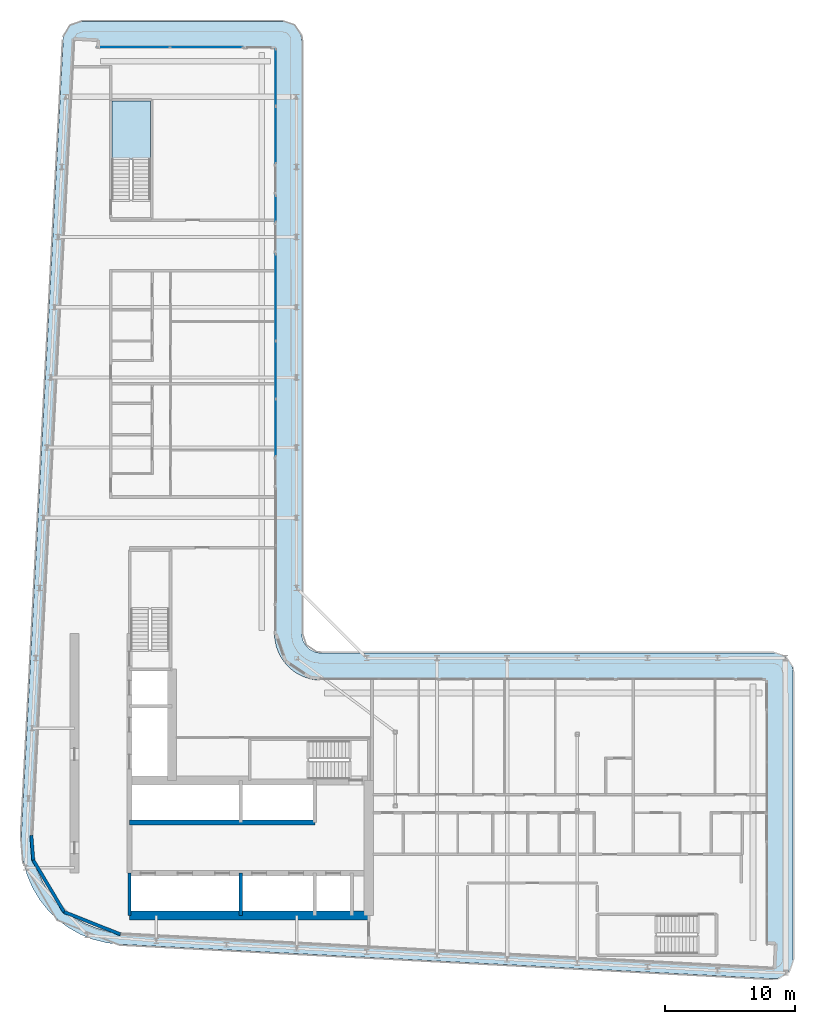
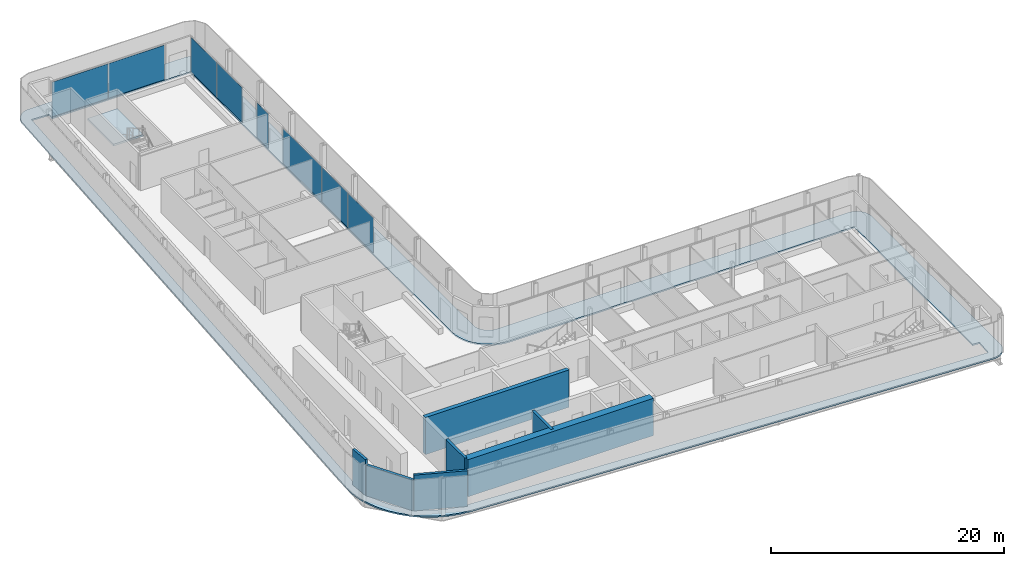
# One storey, part 9 of 21: 8 plates, 7 walls, 2 slabs, 6 elements without a shape of their own.
"""IFC4 building model written with IfcOpenShell, lengths in metres."""

from ifc_helpers import new_model, si_unit, direction, frame, frame_2d, origin, origin_2d, place, context, subcontext, project, spatial, polyline, rectangle, outline, extrude, material, layer, layer_set, type_object, element, aggregate, save


model = new_model("IFC4")

# Units and contexts
model_context = context("Model", 3, precision=1e-05, world=origin(), true_north=direction((0.0, 1.0)))
body_context = subcontext(model_context, "Body", "Model", "MODEL_VIEW")
ifc_project = project(units=[si_unit("LENGTHUNIT", "METRE"), si_unit("AREAUNIT", "SQUARE_METRE"), si_unit("VOLUMEUNIT", "CUBIC_METRE"), si_unit("PLANEANGLEUNIT", "RADIAN"), si_unit("MASSUNIT", "GRAM", prefix="KILO")], contexts=[model_context])

# Site, building, storey
site_placement = place(None, origin())
site = spatial("IfcSite", under=ifc_project, at=site_placement, CompositionType="ELEMENT")
building_placement = place(site_placement, origin())
building = spatial("IfcBuilding", under=site, at=building_placement, Name="Kheshtan School and Residences Tower", CompositionType="ELEMENT")
storey_placement = place(building_placement, frame((0.0, 0.0, 227.89990234375)))
storey = spatial("IfcBuildingStorey", under=building, at=storey_placement, Name="L53", CompositionType="ELEMENT", Elevation=227.89990234375)

# Curtain wall, plates
ifc_material_1 = material(Name="Clear low-e glass in thermally broken aluminium frame", Category="aluminium")
ifc_layer_1 = layer(ifc_material_1, 0.199951171875)
ifc_layer_set_1 = layer_set([ifc_layer_1], Name="Curtain wall CW-L")
curtain_wall_type = type_object("IfcCurtainWallType", Name="Curtain wall CW-L", PredefinedType="NOTDEFINED", material=ifc_layer_set_1)
curtain_wall_1_placement = place(storey_placement, origin())
curtain_wall_1 = element("IfcCurtainWall", 1, at=curtain_wall_1_placement, inside=storey, type_object=curtain_wall_type, Name="Curtain wall CWL3a", PredefinedType="NOTDEFINED")
ifc_layer_2 = layer(ifc_material_1, 0.031982421875)
ifc_layer_set_2 = layer_set([ifc_layer_2], Name="CW-L glass panel")
plate_type = type_object("IfcPlateType", Name="CW-L glass panel", PredefinedType="CURTAIN_PANEL", material=ifc_layer_set_2)
plate_1_placement = place(storey_placement, frame((35.0458984375, 92.60009765625, 0.000244140625), z_axis=(0.0, 0.0, 1.0), x_axis=(1.0, 0.0, 0.0)))
plate_1 = element("IfcPlate", 2, at=plate_1_placement, type_object=plate_type, Name="CWL3a panel 1.1", PredefinedType="CURTAIN_PANEL", context=body_context, shape_type="SweptSolid", body=[
    extrude(rectangle(XDim=5.555908203125, YDim=0.031982421875, at=origin_2d()), origin(), (0.0, 0.0, 1.0), 3.6298828125),
])
plate_2_placement = place(storey_placement, frame((40.662109375, 92.60009765625, 0.000244140625), z_axis=(0.0, 0.0, 1.0), x_axis=(1.0, 0.0, 0.0)))
plate_2 = element("IfcPlate", 3, at=plate_2_placement, type_object=plate_type, Name="CWL3a panel 2.1", PredefinedType="CURTAIN_PANEL", context=body_context, shape_type="SweptSolid", body=[
    extrude(rectangle(XDim=5.555908203125, YDim=0.031982421875, at=origin_2d()), origin(), (0.0, 0.0, 1.0), 3.6298828125),
])
aggregate(curtain_wall_1, [plate_1, plate_2])

curtain_wall_2_placement = place(storey_placement, origin())
curtain_wall_2 = element("IfcCurtainWall", 4, at=curtain_wall_2_placement, inside=storey, type_object=curtain_wall_type, Name="Curtain wall CWL4b", PredefinedType="NOTDEFINED")
plate_3_placement = place(storey_placement, frame((46.0, 90.26806640625, 0.000244140625), z_axis=(0.0, 0.0, 1.0), x_axis=(0.0, -1.0, 0.0)))
plate_3 = element("IfcPlate", 5, at=plate_3_placement, type_object=plate_type, Name="CWL4b panel 1.1", PredefinedType="CURTAIN_PANEL", context=body_context, shape_type="SweptSolid", body=[
    extrude(rectangle(XDim=4.34375, YDim=0.031982421875, at=origin_2d()), origin(), (0.0, 0.0, 1.0), 3.6298828125),
])
plate_4_placement = place(storey_placement, frame((46.0, 85.8642578125, 0.000244140625), z_axis=(0.0, 0.0, 1.0), x_axis=(0.0, -1.0, 0.0)))
plate_4 = element("IfcPlate", 6, at=plate_4_placement, type_object=plate_type, Name="CWL4b panel 2.1", PredefinedType="CURTAIN_PANEL", context=body_context, shape_type="SweptSolid", body=[
    extrude(rectangle(XDim=4.34375, YDim=0.031982421875, at=origin_2d()), origin(), (0.0, 0.0, 1.0), 3.6298828125),
])
aggregate(curtain_wall_2, [plate_3, plate_4])

# Curtain wall, plate
curtain_wall_3_placement = place(storey_placement, origin())
curtain_wall_3 = element("IfcCurtainWall", 7, at=curtain_wall_3_placement, inside=storey, type_object=curtain_wall_type, Name="Curtain wall CWL4c", PredefinedType="NOTDEFINED")
plate_5_placement = place(storey_placement, frame((46.0, 80.1826171875, 0.000244140625), z_axis=(0.0, 0.0, 1.0), x_axis=(0.0, -1.0, 0.0)))
plate_5 = element("IfcPlate", 8, at=plate_5_placement, type_object=plate_type, Name="CWL4c panel 1.1", PredefinedType="CURTAIN_PANEL", context=body_context, shape_type="SweptSolid", body=[
    extrude(rectangle(XDim=1.97998046875, YDim=0.031982421875, at=origin_2d()), origin(), (0.0, 0.0, 1.0), 3.6298828125),
])
aggregate(curtain_wall_3, [plate_5])

curtain_wall_4_placement = place(storey_placement, origin())
curtain_wall_4 = element("IfcCurtainWall", 9, at=curtain_wall_4_placement, inside=storey, type_object=curtain_wall_type, Name="Curtain wall CWL4d", PredefinedType="NOTDEFINED")
plate_6_placement = place(storey_placement, frame((46.0, 73.3486328125, 0.000244140625), z_axis=(0.0, 0.0, 1.0), x_axis=(0.0, -1.0, 0.0)))
plate_6 = element("IfcPlate", 10, at=plate_6_placement, type_object=plate_type, Name="CWL4d panel 1.1", PredefinedType="CURTAIN_PANEL", context=body_context, shape_type="SweptSolid", body=[
    extrude(rectangle(XDim=6.6474609375, YDim=0.031982421875, at=origin_2d()), origin(), (0.0, 0.0, 1.0), 3.6298828125),
])
aggregate(curtain_wall_4, [plate_6])

# Curtain wall, plates
curtain_wall_5_placement = place(storey_placement, origin())
curtain_wall_5 = element("IfcCurtainWall", 11, at=curtain_wall_5_placement, inside=storey, type_object=curtain_wall_type, Name="Curtain wall CWL4b", PredefinedType="NOTDEFINED")
plate_7_placement = place(storey_placement, frame((46.0, 67.76318359375, 0.000244140625), z_axis=(0.0, 0.0, 1.0), x_axis=(0.0, -1.0, 0.0)))
plate_7 = element("IfcPlate", 12, at=plate_7_placement, type_object=plate_type, Name="CWL4b panel 1.1", PredefinedType="CURTAIN_PANEL", context=body_context, shape_type="SweptSolid", body=[
    extrude(rectangle(XDim=4.40380859375, YDim=0.031982421875, at=origin_2d()), origin(), (0.0, 0.0, 1.0), 3.6298828125),
])
plate_8_placement = place(storey_placement, frame((46.0, 63.329345703125, 0.000244140625), z_axis=(0.0, 0.0, 1.0), x_axis=(0.0, -1.0, 0.0)))
plate_8 = element("IfcPlate", 13, at=plate_8_placement, type_object=plate_type, Name="CWL4b panel 2.1", PredefinedType="CURTAIN_PANEL", context=body_context, shape_type="SweptSolid", body=[
    extrude(rectangle(XDim=4.34375, YDim=0.031982421875, at=origin_2d()), origin(), (0.0, 0.0, 1.0), 3.6298828125),
])
aggregate(curtain_wall_5, [plate_7, plate_8])

# Slab
ifc_material_2 = material(Name="Concrete C40/50", Category="concrete")
ifc_layer_3 = layer(ifc_material_2, 0.14990234375)
ifc_layer_set_3 = layer_set([ifc_layer_3], Name="Loggia balcony slab 150 Concrete C40/50")
slab_type_1 = type_object("IfcSlabType", Name="Loggia balcony slab 150 Concrete C40/50", PredefinedType="FLOOR", material=ifc_layer_set_3)
slab_1_placement = place(storey_placement, frame((0.0, 0.0, -0.14990234375)))
element("IfcSlab", 14, at=slab_1_placement, inside=storey, type_object=slab_type_1, Name="Loggia balcony slab L53", PredefinedType="FLOOR", context=body_context, shape_type="SweptSolid", body=[
    extrude(outline(polyline([(28.4580078125, 26.222900390625), (28.45703125, 26.222900390625), (28.45703125, 26.22412109375), (28.4560546875, 26.22412109375), (27.81494140625, 27.0390625), (27.281005859375, 27.93798828125), (26.867919921875, 28.89990234375), (26.583984375, 29.89990234375), (26.583984375, 29.906982421875), (26.43408203125, 30.943115234375), (26.419921875, 31.989013671875), (29.64111328125, 93.178955078125), (29.64697265625, 93.22705078125), (29.64697265625, 93.22802734375), (29.64599609375, 93.22802734375), (29.64599609375, 93.22900390625), (29.64501953125, 93.22900390625), (29.64501953125, 93.22998046875), (29.64404296875, 93.22998046875), (29.64404296875, 93.23095703125), (29.64306640625, 93.23095703125), (29.64306640625, 93.23193359375), (29.64306640625, 93.23291015625), (29.660888671875, 93.381103515625), (29.660888671875, 93.384033203125), (29.660888671875, 93.385009765625), (29.662109375, 93.385009765625), (29.662109375, 93.385986328125), (29.6630859375, 93.385986328125), (29.6630859375, 93.386962890625), (29.6640625, 93.386962890625), (29.6650390625, 93.386962890625), (29.6650390625, 93.387939453125), (29.666015625, 93.387939453125), (29.666015625, 93.388916015625), (29.666015625, 93.39111328125), (29.718994140625, 93.583984375), (29.799072265625, 93.77490234375), (29.905029296875, 93.952880859375), (30.027099609375, 94.10693359375), (30.028076171875, 94.10693359375), (30.028076171875, 94.10791015625), (30.029052734375, 94.10791015625), (30.029052734375, 94.10888671875), (30.030029296875, 94.10888671875), (30.030029296875, 94.110107421875), (30.031005859375, 94.110107421875), (30.031005859375, 94.111083984375), (30.031982421875, 94.111083984375), (30.031982421875, 94.112060546875), (30.032958984375, 94.112060546875), (30.032958984375, 94.113037109375), (30.033935546875, 94.113037109375), (30.0380859375, 94.113037109375), (30.0390625, 94.113037109375), (30.0390625, 94.114013671875), (30.18408203125, 94.257080078125), (30.18505859375, 94.257080078125), (30.18505859375, 94.258056640625), (30.18603515625, 94.258056640625), (30.18603515625, 94.259033203125), (30.18701171875, 94.259033203125), (30.18701171875, 94.260009765625), (30.18798828125, 94.260009765625), (30.18798828125, 94.260986328125), (30.18896484375, 94.260986328125), (30.18896484375, 94.261962890625), (30.18994140625, 94.261962890625), (30.18994140625, 94.262939453125), (30.19091796875, 94.262939453125), (30.19091796875, 94.263916015625), (30.35205078125, 94.376953125), (30.534912109375, 94.472900390625), (30.722900390625, 94.54296875), (30.72998046875, 94.54296875), (30.93310546875, 94.5859375), (31.138916015625, 94.60009765625), (46.5, 94.60009765625), (46.696044921875, 94.5869140625), (46.887939453125, 94.549072265625), (46.89501953125, 94.549072265625), (47.073974609375, 94.486083984375), (47.242919921875, 94.40087890625), (47.243896484375, 94.40087890625), (47.2470703125, 94.40087890625), (47.248046875, 94.40087890625), (47.248046875, 94.402099609375), (47.2490234375, 94.402099609375), (47.2490234375, 94.403076171875), (47.25, 94.403076171875), (47.2529296875, 94.403076171875), (47.25390625, 94.403076171875), (47.25390625, 94.402099609375), (47.2548828125, 94.402099609375), (47.2548828125, 94.40087890625), (47.256103515625, 94.40087890625), (47.256103515625, 94.39990234375), (47.257080078125, 94.39990234375), (47.257080078125, 94.39892578125), (47.258056640625, 94.39892578125), (47.258056640625, 94.39794921875), (47.412109375, 94.2958984375), (47.4130859375, 94.2958984375), (47.4130859375, 94.294921875), (47.4140625, 94.294921875), (47.4140625, 94.2939453125), (47.4140625, 94.2900390625), (47.4140625, 94.2890625), (47.4150390625, 94.2890625), (47.4150390625, 94.2880859375), (47.416015625, 94.2880859375), (47.416015625, 94.287109375), (47.4169921875, 94.287109375), (47.4169921875, 94.285888671875), (47.554931640625, 94.16796875), (47.554931640625, 94.1669921875), (47.555908203125, 94.1669921875), (47.555908203125, 94.166015625), (47.556884765625, 94.166015625), (47.556884765625, 94.1650390625), (47.55810546875, 94.1650390625), (47.55810546875, 94.1640625), (47.55908203125, 94.1640625), (47.55908203125, 94.1630859375), (47.56005859375, 94.1630859375), (47.56005859375, 94.162109375), (47.56103515625, 94.162109375), (47.56201171875, 94.160888671875), (47.56201171875, 94.159912109375), (47.56298828125, 94.159912109375), (47.56298828125, 94.158935546875), (47.56396484375, 94.158935546875), (47.56396484375, 94.157958984375), (47.56494140625, 94.157958984375), (47.56494140625, 94.156982421875), (47.56591796875, 94.156982421875), (47.56591796875, 94.156005859375), (47.56689453125, 94.156005859375), (47.56689453125, 94.155029296875), (47.568115234375, 94.155029296875), (47.68505859375, 94.01806640625), (47.68603515625, 94.01806640625), (47.68603515625, 94.01708984375), (47.68701171875, 94.01708984375), (47.68701171875, 94.01611328125), (47.68798828125, 94.01611328125), (47.68798828125, 94.014892578125), (47.68896484375, 94.014892578125), (47.68896484375, 94.013916015625), (47.68994140625, 94.013916015625), (47.694091796875, 94.013916015625), (47.695068359375, 94.013916015625), (47.695068359375, 94.012939453125), (47.696044921875, 94.012939453125), (47.696044921875, 94.011962890625), (47.797119140625, 93.85888671875), (47.798095703125, 93.85888671875), (47.798095703125, 93.85791015625), (47.799072265625, 93.85791015625), (47.799072265625, 93.85693359375), (47.800048828125, 93.85693359375), (47.800048828125, 93.85595703125), (47.801025390625, 93.85595703125), (47.801025390625, 93.85498046875), (47.802001953125, 93.85498046875), (47.802001953125, 93.85400390625), (47.802978515625, 93.85400390625), (47.802978515625, 93.85302734375), (47.802978515625, 93.85009765625), (47.802978515625, 93.84912109375), (47.802001953125, 93.84912109375), (47.802001953125, 93.847900390625), (47.801025390625, 93.847900390625), (47.801025390625, 93.846923828125), (47.801025390625, 93.843017578125), (47.801025390625, 93.842041015625), (47.885986328125, 93.674072265625), (47.948974609375, 93.4951171875), (47.948974609375, 93.488037109375), (47.987060546875, 93.2958984375), (48.0, 93.10009765625), (48.0, 47.5), (48.012939453125, 47.303955078125), (48.051025390625, 47.113037109375), (48.051025390625, 47.10693359375), (48.051025390625, 47.10595703125), (48.114013671875, 46.926025390625), (48.200927734375, 46.75), (48.31005859375, 46.5869140625), (48.431884765625, 46.444091796875), (48.43310546875, 46.444091796875), (48.43310546875, 46.443115234375), (48.43408203125, 46.443115234375), (48.43408203125, 46.44189453125), (48.43505859375, 46.44189453125), (48.43505859375, 46.44091796875), (48.43603515625, 46.44091796875), (48.43603515625, 46.43994140625), (48.43701171875, 46.43994140625), (48.43701171875, 46.43896484375), (48.43798828125, 46.43896484375), (48.43896484375, 46.43798828125), (48.43896484375, 46.43701171875), (48.43994140625, 46.43701171875), (48.43994140625, 46.43603515625), (48.44091796875, 46.43603515625), (48.44091796875, 46.43505859375), (48.44189453125, 46.43505859375), (48.44189453125, 46.43408203125), (48.443115234375, 46.43408203125), (48.443115234375, 46.43310546875), (48.444091796875, 46.43310546875), (48.444091796875, 46.431884765625), (48.5869140625, 46.31005859375), (48.75, 46.200927734375), (48.926025390625, 46.114013671875), (49.10595703125, 46.051025390625), (49.10693359375, 46.051025390625), (49.113037109375, 46.051025390625), (49.303955078125, 46.012939453125), (49.5, 46.0), (84.300048828125, 46.0), (84.49609375, 45.987060546875), (84.68798828125, 45.948974609375), (84.695068359375, 45.948974609375), (84.8740234375, 45.885986328125), (85.0419921875, 45.801025390625), (85.04296875, 45.801025390625), (85.047119140625, 45.801025390625), (85.048095703125, 45.801025390625), (85.048095703125, 45.802001953125), (85.049072265625, 45.802001953125), (85.049072265625, 45.802978515625), (85.050048828125, 45.802978515625), (85.052978515625, 45.802978515625), (85.053955078125, 45.802978515625), (85.053955078125, 45.802001953125), (85.054931640625, 45.802001953125), (85.054931640625, 45.801025390625), (85.055908203125, 45.801025390625), (85.055908203125, 45.800048828125), (85.056884765625, 45.800048828125), (85.056884765625, 45.799072265625), (85.05810546875, 45.799072265625), (85.05810546875, 45.798095703125), (85.05908203125, 45.798095703125), (85.05908203125, 45.797119140625), (85.06005859375, 45.797119140625), (85.06005859375, 45.7958984375), (85.2119140625, 45.696044921875), (85.212890625, 45.696044921875), (85.212890625, 45.695068359375), (85.214111328125, 45.695068359375), (85.214111328125, 45.694091796875), (85.214111328125, 45.68994140625), (85.214111328125, 45.68896484375), (85.215087890625, 45.68896484375), (85.215087890625, 45.68798828125), (85.216064453125, 45.68798828125), (85.216064453125, 45.68701171875), (85.217041015625, 45.68701171875), (85.217041015625, 45.68603515625), (85.218017578125, 45.68603515625), (85.218017578125, 45.68505859375), (85.218994140625, 45.68505859375), (85.218994140625, 45.68408203125), (85.35498046875, 45.568115234375), (85.35498046875, 45.56689453125), (85.35595703125, 45.56689453125), (85.35595703125, 45.56591796875), (85.35693359375, 45.56591796875), (85.35693359375, 45.56494140625), (85.35791015625, 45.56494140625), (85.35791015625, 45.56396484375), (85.35888671875, 45.56396484375), (85.35888671875, 45.56298828125), (85.360107421875, 45.56298828125), (85.360107421875, 45.56201171875), (85.361083984375, 45.56201171875), (85.362060546875, 45.56103515625), (85.362060546875, 45.56005859375), (85.363037109375, 45.56005859375), (85.363037109375, 45.55908203125), (85.364013671875, 45.55908203125), (85.364013671875, 45.55810546875), (85.364990234375, 45.55810546875), (85.364990234375, 45.556884765625), (85.365966796875, 45.556884765625), (85.365966796875, 45.555908203125), (85.366943359375, 45.555908203125), (85.366943359375, 45.554931640625), (85.367919921875, 45.554931640625), (85.48193359375, 45.4208984375), (85.48291015625, 45.4208984375), (85.48291015625, 45.419921875), (85.48388671875, 45.419921875), (85.48388671875, 45.4189453125), (85.485107421875, 45.4189453125), (85.485107421875, 45.41796875), (85.486083984375, 45.41796875), (85.486083984375, 45.4169921875), (85.487060546875, 45.4169921875), (85.487060546875, 45.416015625), (85.488037109375, 45.416015625), (85.488037109375, 45.4150390625), (85.489013671875, 45.4150390625), (85.489013671875, 45.4140625), (85.489990234375, 45.4140625), (85.493896484375, 45.4140625), (85.4951171875, 45.4140625), (85.4951171875, 45.4130859375), (85.49609375, 45.4130859375), (85.49609375, 45.412109375), (85.593994140625, 45.261962890625), (85.594970703125, 45.261962890625), (85.594970703125, 45.260986328125), (85.595947265625, 45.260986328125), (85.595947265625, 45.260009765625), (85.596923828125, 45.260009765625), (85.596923828125, 45.259033203125), (85.597900390625, 45.259033203125), (85.597900390625, 45.258056640625), (85.59912109375, 45.258056640625), (85.59912109375, 45.257080078125), (85.60009765625, 45.257080078125), (85.60009765625, 45.256103515625), (85.60107421875, 45.256103515625), (85.60107421875, 45.2548828125), (85.60205078125, 45.2548828125), (85.60205078125, 45.25390625), (85.60302734375, 45.25390625), (85.60302734375, 45.2529296875), (85.60302734375, 45.25), (85.60302734375, 45.2490234375), (85.60205078125, 45.2490234375), (85.60205078125, 45.248046875), (85.60107421875, 45.248046875), (85.60107421875, 45.2470703125), (85.60107421875, 45.240966796875), (85.60107421875, 45.239990234375), (85.68603515625, 45.073974609375), (85.7490234375, 44.89501953125), (85.7490234375, 44.887939453125), (85.787109375, 44.696044921875), (85.800048828125, 44.5), (85.800048828125, 22.43408203125), (85.785888671875, 22.23095703125), (85.7451171875, 22.032958984375), (85.7451171875, 22.02587890625), (85.677978515625, 21.841064453125), (85.5859375, 21.660888671875), (85.470947265625, 21.49609375), (85.470947265625, 21.4951171875), (85.470947265625, 21.493896484375), (85.470947265625, 21.492919921875), (85.471923828125, 21.492919921875), (85.471923828125, 21.491943359375), (85.471923828125, 21.489990234375), (85.471923828125, 21.489013671875), (85.470947265625, 21.489013671875), (85.470947265625, 21.488037109375), (85.337890625, 21.343994140625), (85.3349609375, 21.341064453125), (85.333984375, 21.341064453125), (85.333984375, 21.340087890625), (85.3330078125, 21.340087890625), (85.3310546875, 21.340087890625), (85.330078125, 21.340087890625), (85.330078125, 21.341064453125), (85.3291015625, 21.341064453125), (85.327880859375, 21.341064453125), (85.326904296875, 21.341064453125), (85.176025390625, 21.216064453125), (85.00390625, 21.10888671875), (84.819091796875, 21.02587890625), (84.631103515625, 20.968994140625), (84.6240234375, 20.968994140625), (84.424072265625, 20.93896484375), (84.220947265625, 20.93603515625), (33.989013671875, 23.580078125), (33.94189453125, 23.5859375), (33.94091796875, 23.5859375), (33.93994140625, 23.5859375), (33.93994140625, 23.5849609375), (33.93896484375, 23.5849609375), (33.93896484375, 23.583984375), (33.93798828125, 23.583984375), (33.93798828125, 23.5830078125), (33.93701171875, 23.5830078125), (33.93701171875, 23.58203125), (33.93603515625, 23.58203125), (33.93505859375, 23.58203125), (32.952880859375, 23.697998046875), (32.949951171875, 23.697998046875), (32.948974609375, 23.697998046875), (32.948974609375, 23.698974609375), (32.947998046875, 23.698974609375), (32.947998046875, 23.699951171875), (32.947021484375, 23.699951171875), (32.947021484375, 23.700927734375), (32.947021484375, 23.702880859375), (32.947021484375, 23.7041015625), (32.946044921875, 23.7041015625), (32.946044921875, 23.705078125), (32.945068359375, 23.705078125), (32.944091796875, 23.705078125), (31.93603515625, 23.9609375), (31.928955078125, 23.9609375), (30.964111328125, 24.34912109375), (30.051025390625, 24.860107421875), (29.218994140625, 25.47900390625), (29.218994140625, 25.47998046875), (29.218017578125, 25.47998046875), (29.218017578125, 25.48095703125), (29.217041015625, 25.48095703125), (29.217041015625, 25.48193359375), (29.216064453125, 25.48193359375), (29.216064453125, 25.48291015625), (29.215087890625, 25.48291015625), (29.215087890625, 25.48388671875), (29.214111328125, 25.48388671875), (29.214111328125, 25.485107421875), (29.212890625, 25.485107421875), (29.212890625, 25.486083984375), (29.2119140625, 25.486083984375), (28.468017578125, 26.217041015625), (28.468017578125, 26.218017578125), (28.467041015625, 26.218017578125), (28.462890625, 26.218017578125), (28.4619140625, 26.218017578125), (28.4619140625, 26.218994140625), (28.4609375, 26.218994140625), (28.4609375, 26.219970703125), (28.4599609375, 26.219970703125), (28.4599609375, 26.220947265625), (28.458984375, 26.220947265625), (28.458984375, 26.221923828125), (28.4580078125, 26.221923828125), (28.4580078125, 26.222900390625)]), holes=[polyline([(27.466064453125, 30.0869140625), (27.718017578125, 29.200927734375), (28.0849609375, 28.345947265625), (28.55908203125, 27.550048828125), (29.126953125, 26.825927734375), (29.1279296875, 26.825927734375), (29.1279296875, 26.824951171875), (29.12890625, 26.824951171875), (29.12890625, 26.823974609375), (29.1298828125, 26.823974609375), (29.1298828125, 26.822998046875), (29.131103515625, 26.822998046875), (29.131103515625, 26.822021484375), (29.132080078125, 26.822021484375), (29.132080078125, 26.821044921875), (29.133056640625, 26.821044921875), (29.133056640625, 26.820068359375), (29.134033203125, 26.820068359375), (29.7939453125, 26.173095703125), (29.7939453125, 26.172119140625), (29.794921875, 26.172119140625), (29.798095703125, 26.172119140625), (29.799072265625, 26.172119140625), (29.799072265625, 26.1708984375), (29.800048828125, 26.1708984375), (29.800048828125, 26.169921875), (29.801025390625, 26.169921875), (29.801025390625, 26.1689453125), (29.802001953125, 26.1689453125), (29.802001953125, 26.16796875), (29.802978515625, 26.16796875), (29.802978515625, 26.1669921875), (29.803955078125, 26.1669921875), (29.803955078125, 26.166015625), (30.541015625, 25.616943359375), (31.35205078125, 25.1630859375), (32.208984375, 24.819091796875), (32.2099609375, 24.819091796875), (32.216064453125, 24.819091796875), (33.114990234375, 24.590087890625), (34.06591796875, 24.47705078125), (84.238037109375, 21.8359375), (84.264892578125, 21.8369140625), (84.26611328125, 21.8369140625), (84.26708984375, 21.8369140625), (84.26708984375, 21.837890625), (84.26806640625, 21.837890625), (84.26806640625, 21.839111328125), (84.26806640625, 21.840087890625), (84.35791015625, 23.529052734375), (84.35791015625, 23.530029296875), (84.35791015625, 23.531005859375), (84.35693359375, 23.531005859375), (84.35693359375, 23.531982421875), (84.35595703125, 23.531982421875), (84.35498046875, 23.531982421875), (83.700927734375, 23.56689453125), (83.699951171875, 23.56689453125), (83.699951171875, 23.568115234375), (83.699951171875, 43.89794921875), (83.699951171875, 43.89892578125), (83.698974609375, 43.89892578125), (83.698974609375, 43.89990234375), (83.697998046875, 43.89990234375), (49.429931640625, 43.89990234375), (49.030029296875, 43.927001953125), (48.569091796875, 44.01806640625), (48.56201171875, 44.01806640625), (48.1201171875, 44.169921875), (47.697021484375, 44.37890625), (47.30810546875, 44.638916015625), (46.95703125, 44.944091796875), (46.95703125, 44.945068359375), (46.9560546875, 44.945068359375), (46.9560546875, 44.946044921875), (46.955078125, 44.946044921875), (46.955078125, 44.947021484375), (46.9541015625, 44.947021484375), (46.9541015625, 44.947998046875), (46.952880859375, 44.947998046875), (46.952880859375, 44.948974609375), (46.951904296875, 44.948974609375), (46.951904296875, 44.949951171875), (46.951904296875, 44.950927734375), (46.950927734375, 44.950927734375), (46.950927734375, 44.951904296875), (46.949951171875, 44.951904296875), (46.948974609375, 44.951904296875), (46.948974609375, 44.952880859375), (46.947998046875, 44.952880859375), (46.947998046875, 44.9541015625), (46.947021484375, 44.9541015625), (46.947021484375, 44.955078125), (46.946044921875, 44.955078125), (46.946044921875, 44.9560546875), (46.945068359375, 44.9560546875), (46.945068359375, 44.95703125), (46.944091796875, 44.95703125), (46.638916015625, 45.30810546875), (46.37890625, 45.697021484375), (46.169921875, 46.1201171875), (46.01806640625, 46.56201171875), (46.01806640625, 46.569091796875), (45.927001953125, 47.030029296875), (45.89990234375, 47.429931640625), (45.89990234375, 92.498046875), (45.89990234375, 92.4990234375), (45.89892578125, 92.4990234375), (45.89892578125, 92.5), (45.89794921875, 92.5), (32.208984375, 92.5), (32.2080078125, 92.5), (32.237060546875, 93.0390625), (32.237060546875, 93.0400390625), (32.237060546875, 93.041015625), (32.236083984375, 93.041015625), (32.236083984375, 93.0419921875), (32.235107421875, 93.0419921875), (32.23388671875, 93.0419921875), (30.544921875, 93.132080078125), (30.5439453125, 93.132080078125), (30.54296875, 93.132080078125), (30.54296875, 93.131103515625), (30.5419921875, 93.131103515625), (30.5419921875, 93.1298828125), (30.5419921875, 93.12890625), (30.5380859375, 93.10107421875), (27.320068359375, 31.970947265625), (27.3330078125, 31.013916015625), (27.466064453125, 30.093994140625), (27.466064453125, 30.087890625), (27.466064453125, 30.0869140625)])]), origin(), (0.0, 0.0, 1.0), 0.14990234375),
])

# Stair, slab
stair_type = type_object("IfcStairType", Name="Exit stair, half-turn", PredefinedType="HALF_TURN_STAIR", material=ifc_material_2)
stair_placement = place(storey_placement, origin())
stair = element("IfcStair", 15, at=stair_placement, inside=storey, type_object=stair_type, Name="L53 Protected Exit Stair ST3", PredefinedType="HALF_TURN_STAIR")
ifc_layer_4 = layer(ifc_material_2, 0.199951171875)
ifc_layer_set_4 = layer_set([ifc_layer_4], Name="Stair landing 200 Concrete C40/50")
slab_type_2 = type_object("IfcSlabType", Name="Stair landing 200 Concrete C40/50", PredefinedType="LANDING", material=ifc_layer_set_4)
slab_2_placement = place(storey_placement, frame((0.0, 0.0, 1.75)))
slab_2 = element("IfcSlab", 16, at=slab_2_placement, type_object=slab_type_2, Name="ST3 landing 1", PredefinedType="LANDING", context=body_context, shape_type="SweptSolid", body=[
    extrude(outline(polyline([(36.35009765625, 83.97998046875), (36.35009765625, 88.4599609375), (33.39990234375, 88.4599609375), (33.39990234375, 83.97998046875), (36.35009765625, 83.97998046875)])), origin(), (0.0, 0.0, 1.0), 0.2001953125),
])
aggregate(stair, [slab_2])

# Walls
ifc_material_3 = material(Name="Concrete C50/60", Category="concrete")
ifc_layer_5 = layer(ifc_material_3, 0.39990234375)
ifc_layer_set_5 = layer_set([ifc_layer_5], Name="Core wall 400 Concrete C50/60")
wall_type_1 = type_object("IfcWallType", Name="Core wall 400 Concrete C50/60", PredefinedType="SHEAR", material=ifc_layer_set_5)
wall_1_placement = place(storey_placement, frame((34.75, 32.949951171875, 0.0), z_axis=(0.0, 0.0, 1.0), x_axis=(1.0, 0.0, 0.0)))
element("IfcWall", 17, at=wall_1_placement, inside=storey, type_object=wall_type_1, Name="Core wall CW-HALL-S2", PredefinedType="SHEAR", context=body_context, shape_type="SweptSolid", body=[
    extrude(rectangle(XDim=14.25, YDim=0.39990234375, at=frame_2d((7.125, 0.0))), origin(), (0.0, 0.0, 1.0), 3.900146484375),
])
ifc_material_4 = material(Name="Concrete C70/85", Category="concrete")
ifc_layer_6 = layer(ifc_material_4, 0.699951171875)
ifc_layer_set_6 = layer_set([ifc_layer_6], Name="Core wall 700 Concrete C70/85")
wall_type_2 = type_object("IfcWallType", Name="Core wall 700 Concrete C70/85", PredefinedType="SHEAR", material=ifc_layer_set_6)
wall_2_placement = place(storey_placement, frame((34.75, 25.800048828125, 0.0), z_axis=(0.0, 0.0, 1.0), x_axis=(1.0, 0.0, 0.0)))
element("IfcWall", 18, at=wall_2_placement, inside=storey, type_object=wall_type_2, Name="Core wall CW-REAR-S", PredefinedType="SHEAR", context=body_context, shape_type="SweptSolid", body=[
    extrude(rectangle(XDim=18.39990234375, YDim=0.699951171875, at=frame_2d((9.199951171875, 0.0))), origin(), (0.0, 0.0, 1.0), 3.900146484375),
])
ifc_material_5 = material(Name="Concrete C40/50 with ceramic cladding and mineral wool insulation", Category="concrete")
ifc_layer_7 = layer(ifc_material_5, 0.25)
ifc_layer_set_7 = layer_set([ifc_layer_7], Name="External wall 250 ceramic clad")
wall_type_3 = type_object("IfcWallType", Name="External wall 250 ceramic clad", PredefinedType="SOLIDWALL", material=ifc_layer_set_7)
wall_3_placement = place(storey_placement, frame((34.0390625, 24.35302734375, 0.0), z_axis=(0.0, 0.0, 1.0), x_axis=(-0.929352825399, 0.369192803184, 0.0)))
element("IfcWall", 19, at=wall_3_placement, inside=storey, type_object=wall_type_3, Name="External wall L53 13", PredefinedType="SOLIDWALL", context=body_context, shape_type="SweptSolid", body=[
    extrude(rectangle(XDim=4.656005859375, YDim=0.25, at=frame_2d((2.328125, 0.0))), origin(), (0.0, 0.0, 1.0), 3.75),
])
wall_4_placement = place(storey_placement, frame((29.7119140625, 26.072021484375, 0.0), z_axis=(0.0, 0.0, 1.0), x_axis=(-0.511028049012, 0.859564036662, 0.0)))
element("IfcWall", 20, at=wall_4_placement, inside=storey, type_object=wall_type_3, Name="External wall L53 14", PredefinedType="SOLIDWALL", context=body_context, shape_type="SweptSolid", body=[
    extrude(rectangle(XDim=4.633544921875, YDim=0.25, at=frame_2d((2.31689453125, 0.0))), origin(), (0.0, 0.0, 1.0), 3.217041015625),
])
wall_5_placement = place(storey_placement, frame((27.343994140625, 30.054931640625, 0.0), z_axis=(0.0, 0.0, 1.0), x_axis=(-0.077571675317, 0.99698677784, 0.0)))
element("IfcWall", 21, at=wall_5_placement, inside=storey, type_object=wall_type_3, Name="External wall L53 15", PredefinedType="SOLIDWALL", context=body_context, shape_type="SweptSolid", body=[
    extrude(rectangle(XDim=1.919921875, YDim=0.25, at=frame_2d((0.9599609375, 0.0))), origin(), (0.0, 0.0, 1.0), 3.75),
])
ifc_material_6 = material(Name="Fire-board shaft wall system")
ifc_layer_8 = layer(ifc_material_6, 0.25)
ifc_layer_set_8 = layer_set([ifc_layer_8], Name="Shaft lining wall 250")
wall_type_4 = type_object("IfcWallType", Name="Shaft lining wall 250", PredefinedType="PARTITIONING", material=ifc_layer_set_8)
for number, where, z_axis, x_axis, name in (
    (22, (34.75, 25.800048828125, 0.0), (0.0, 0.0, 1.0), (0.0, 1.0, 0.0), "Shaft lining wall"),
    (23, (43.300048828125, 25.800048828125, 0.0), (0.0, 0.0, 1.0), (0.0, 1.0, 0.0), "Shaft lining wall"),
):
    element("IfcWall", number, at=place(storey_placement, frame(where, z_axis=z_axis, x_axis=x_axis)), inside=storey, type_object=wall_type_4, Name=name, PredefinedType="PARTITIONING", context=body_context, shape_type="SweptSolid", body=[
        extrude(rectangle(XDim=3.25, YDim=0.25, at=frame_2d((1.625, 0.0))), origin(), (0.0, 0.0, 1.0), 3.900146484375),
    ])

save(model, "model.ifc")
